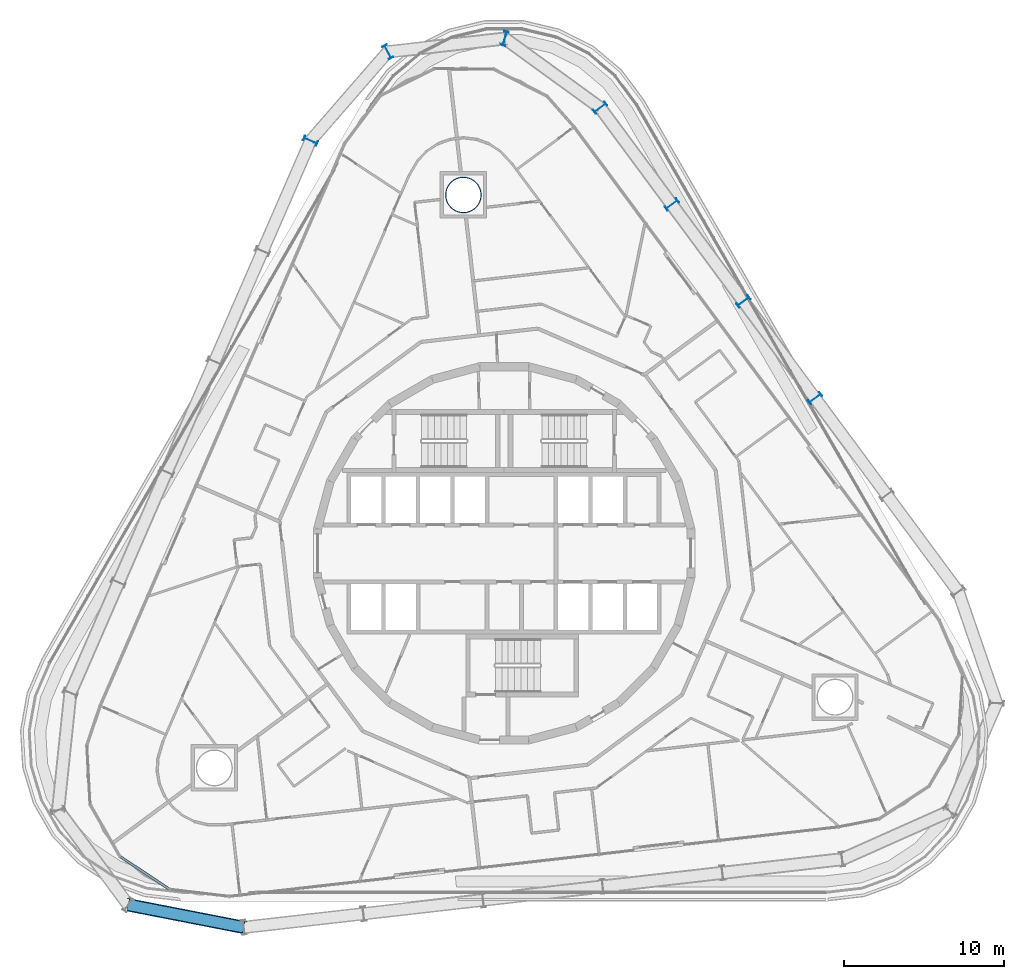
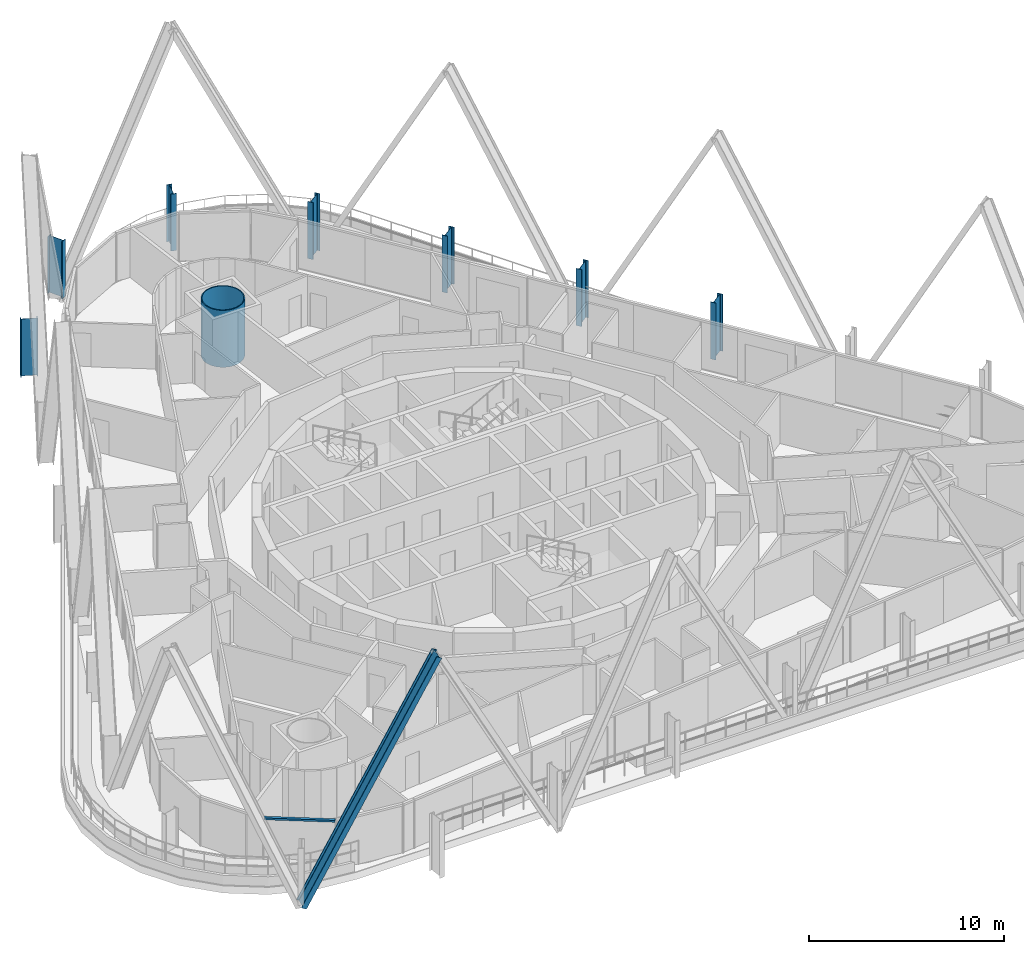
# One storey, part 2 of 32: 8 columns, 2 members, 1 element without a shape of its own.
"""IFC4 building model written with IfcOpenShell, lengths in metres."""

from ifc_helpers import new_model, si_unit, direction, frame, origin, origin_2d, place, context, subcontext, project, spatial, rectangle, hollow_circle, i_section, extrude, material, layer, layer_set, material_profile, profile_set, type_object, element, aggregate, save


model = new_model("IFC4")

# Units and contexts
model_context = context("Model", 3, precision=1e-05, world=origin(), true_north=direction((0.0, 1.0)))
body_context = subcontext(model_context, "Body", "Model", "MODEL_VIEW")
ifc_project = project(units=[si_unit("LENGTHUNIT", "METRE"), si_unit("AREAUNIT", "SQUARE_METRE"), si_unit("VOLUMEUNIT", "CUBIC_METRE"), si_unit("PLANEANGLEUNIT", "RADIAN"), si_unit("MASSUNIT", "GRAM", prefix="KILO")], contexts=[model_context])

# Site, building, storey
site_placement = place(None, origin())
site = spatial("IfcSite", under=ifc_project, at=site_placement, CompositionType="ELEMENT")
building_placement = place(site_placement, origin())
building = spatial("IfcBuilding", under=site, at=building_placement, Name="Spindle Arch Residences", CompositionType="ELEMENT")
storey_placement = place(building_placement, frame((0.0, 0.0, 76.699951171875)))
storey = spatial("IfcBuildingStorey", under=building, at=storey_placement, Name="L17", CompositionType="ELEMENT", Elevation=76.699951171875)

# Columns
ifc_material_1 = material(Name="Steel S460ML, intumescent coating R 240", Category="steel")
ifc_material_profile_1 = material_profile(ifc_material_1, i_section(OverallWidth=0.300048828125, OverallDepth=0.89990234375, WebThickness=0.0185546875, FlangeThickness=0.034912109375, FilletRadius=0.030029296875, at=origin_2d()), Name="HEB 900")
ifc_profile_set_1 = profile_set([ifc_material_profile_1], Name="Steel S460ML, intumescent coating R 240")
column_type_1 = type_object("IfcColumnType", Name="Exoskeleton post HEB 900", PredefinedType="COLUMN", material=ifc_profile_set_1)
for number, where, z_axis, x_axis, name in (
    (1, (19.404541015625, 9.681884765625, -0.449951171875), (0.0, 0.0, 1.0), (0.594822857897, -0.803856807972, 0.0), "Exoskeleton post 8"),
    (2, (14.93212890625, 15.72607421875, -0.449951171875), (0.0, 0.0, 1.0), (0.594822857897, -0.803856807972, 0.0), "Exoskeleton post 9"),
    (3, (10.459716796875, 21.77001953125, -0.449951171875), (0.0, 0.0, 1.0), (0.594822857897, -0.803856807972, 0.0), "Exoskeleton post 10"),
    (4, (5.987548828125, 27.814208984375, -0.449951171875), (0.0, 0.0, 1.0), (0.594822857897, -0.803856807972, 0.0), "Exoskeleton post 11"),
    (5, (0.035888671875, 32.134033203125, -0.449951171875), (0.0, 0.0, 1.0), (0.966704856799, -0.255893962102, 0.0), "Exoskeleton post 12"),
    (6, (-7.263427734375, 31.302490234375, -0.449951171875), (0.0, 0.0, 1.0), (0.884364605378, 0.466796791715, 0.0), "Exoskeleton post 13"),
    (7, (-12.0908203125, 25.75439453125, -0.449951171875), (0.0, 0.0, 1.0), (0.398749038162, 0.917060087761, 0.0), "Exoskeleton post 14"),
):
    element("IfcColumn", number, at=place(storey_placement, frame(where, z_axis=z_axis, x_axis=x_axis)), inside=storey, type_object=column_type_1, Name=name, PredefinedType="COLUMN", context=body_context, shape_type="SweptSolid", body=[
        extrude(i_section(OverallWidth=0.300048828125, OverallDepth=0.89990234375, WebThickness=0.0185546875, FlangeThickness=0.034912109375, FilletRadius=0.030029296875, at=origin_2d()), origin(), (0.0, 0.0, 1.0), 3.570068359375),
    ])
ifc_material_2 = material(Name="Concrete C50/60 filled steel tube S460ML, intumescent coating R 240", Category="concrete")
ifc_material_profile_2 = material_profile(ifc_material_2, hollow_circle(Radius=1.125, WallThickness=0.054931640625, at=origin_2d()), Name="CFT D2250x55")
ifc_profile_set_2 = profile_set([ifc_material_profile_2], Name="Concrete C50/60 filled steel tube S460ML, intumescent coating R 240")
column_type_2 = type_object("IfcColumnType", Name="Mega-column CFT D2250x55", PredefinedType="COLUMN", material=ifc_profile_set_2)
column_placement = place(storey_placement, frame((-2.548828125, 22.370361328125, -0.449951171875), z_axis=(0.0, 0.0, 1.0), x_axis=(1.0, 0.0, 0.0)))
element("IfcColumn", 8, at=column_placement, inside=storey, type_object=column_type_2, Name="Mega-column 2", PredefinedType="COLUMN", context=body_context, shape_type="SweptSolid", body=[
    extrude(hollow_circle(Radius=1.125, WallThickness=0.054931640625, at=origin_2d()), origin(), (0.0, 0.0, 1.0), 3.570068359375),
])

# Curtain wall, member
ifc_material_3 = material(Name="Aluminium bronze unitised frame with tinted glass", Category="aluminium")
ifc_layer = layer(ifc_material_3, 0.159912109375)
ifc_layer_set = layer_set([ifc_layer], Name="CW-D corner wall on the fillet arcs")
curtain_wall_type = type_object("IfcCurtainWallType", Name="CW-D corner wall on the fillet arcs", PredefinedType="NOTDEFINED", material=ifc_layer_set)
curtain_wall_placement = place(storey_placement, origin())
curtain_wall = element("IfcCurtainWall", 9, at=curtain_wall_placement, inside=storey, type_object=curtain_wall_type, Name="CW-D L17 run 5", PredefinedType="NOTDEFINED")
ifc_material_4 = material(Name="Aluminium bronze anodised transom", Category="aluminium")
ifc_material_profile_3 = material_profile(ifc_material_4, rectangle(XDim=0.159912109375, YDim=0.1201171875, at=origin_2d()), Name="TR 120x160")
ifc_profile_set_3 = profile_set([ifc_material_profile_3], Name="Aluminium bronze anodised transom")
member_type_1 = type_object("IfcMemberType", Name="Bronze transom 120x160", PredefinedType="USERDEFINED", material=ifc_profile_set_3)
member_1_placement = place(storey_placement, frame((-23.967041015625, -18.936767578125, 3.06005859375), z_axis=(0.833899758412, -0.551915929214, 0.0), x_axis=(0.551915929214, 0.833899758412, 0.0)))
member_1 = element("IfcMember", 10, at=member_1_placement, type_object=member_type_1, Name="CW-D transom 03", ObjectType="TRANSOM", PredefinedType="USERDEFINED", context=body_context, shape_type="SweptSolid", body=[
    extrude(rectangle(XDim=0.159912109375, YDim=0.1201171875, at=origin_2d()), origin(), (0.0, 0.0, 1.0), 3.666748046875),
])
aggregate(curtain_wall, [member_1])

# Member
ifc_material_5 = material(Name="Steel S460ML, intumescent coating R 240", Category="steel")
ifc_material_profile_4 = material_profile(ifc_material_5, i_section(OverallWidth=0.302978515625, OverallDepth=0.81396484375, WebThickness=0.02099609375, FlangeThickness=0.0400390625, FilletRadius=0.030029296875, at=origin_2d()), Name="HEM 800")
ifc_profile_set_4 = profile_set([ifc_material_profile_4], Name="Steel S460ML, intumescent coating R 240")
member_type_2 = type_object("IfcMemberType", Name="Diagrid diagonal HEM 800", PredefinedType="BRACE", material=ifc_profile_set_4)
member_2_placement = place(storey_placement, frame((-23.47705078125, -21.94140625, -0.699951171875), z_axis=(0.454675710696, -0.088606941693, 0.886238572839), x_axis=(-0.869874452173, 0.169520634269, 0.463229092365)))
element("IfcMember", 11, at=member_2_placement, inside=storey, type_object=member_type_2, Name="Diagrid diagonal 2.1.21", PredefinedType="BRACE", context=body_context, shape_type="SweptSolid", body=[
    extrude(i_section(OverallWidth=0.302978515625, OverallDepth=0.81396484375, WebThickness=0.02099609375, FlangeThickness=0.0400390625, FilletRadius=0.030029296875, at=origin_2d()), origin(), (0.0, 0.0, 1.0), 15.876220703125),
])

save(model, "model.ifc")
